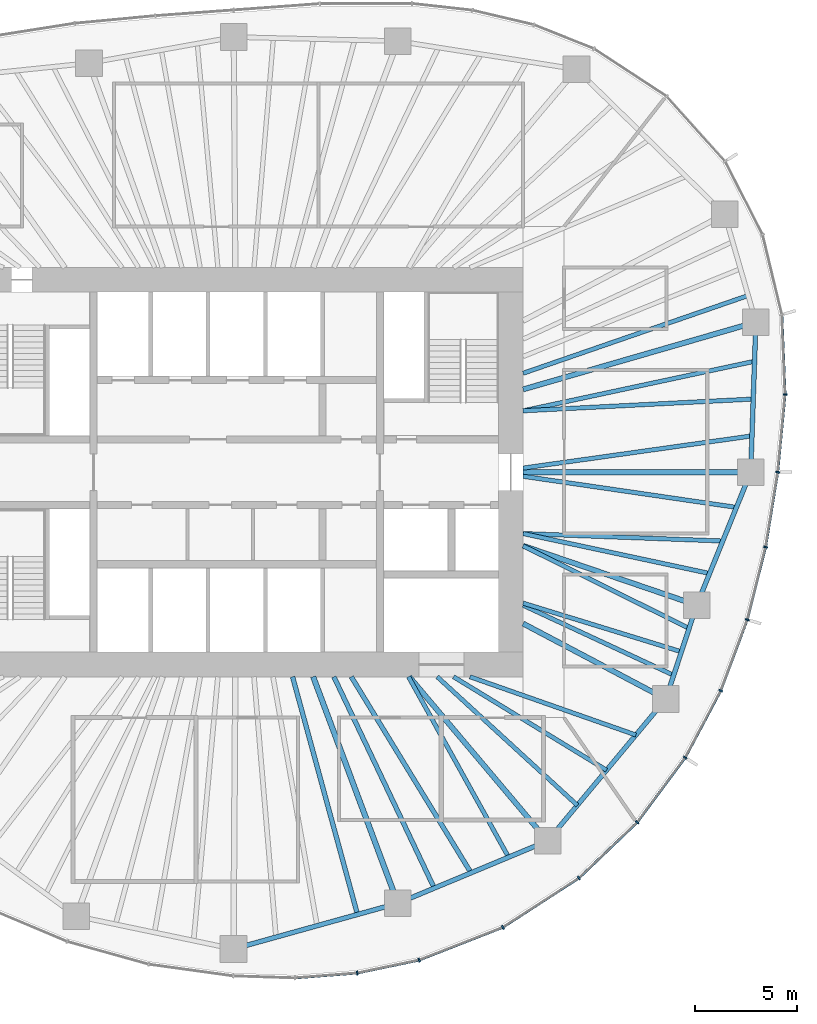
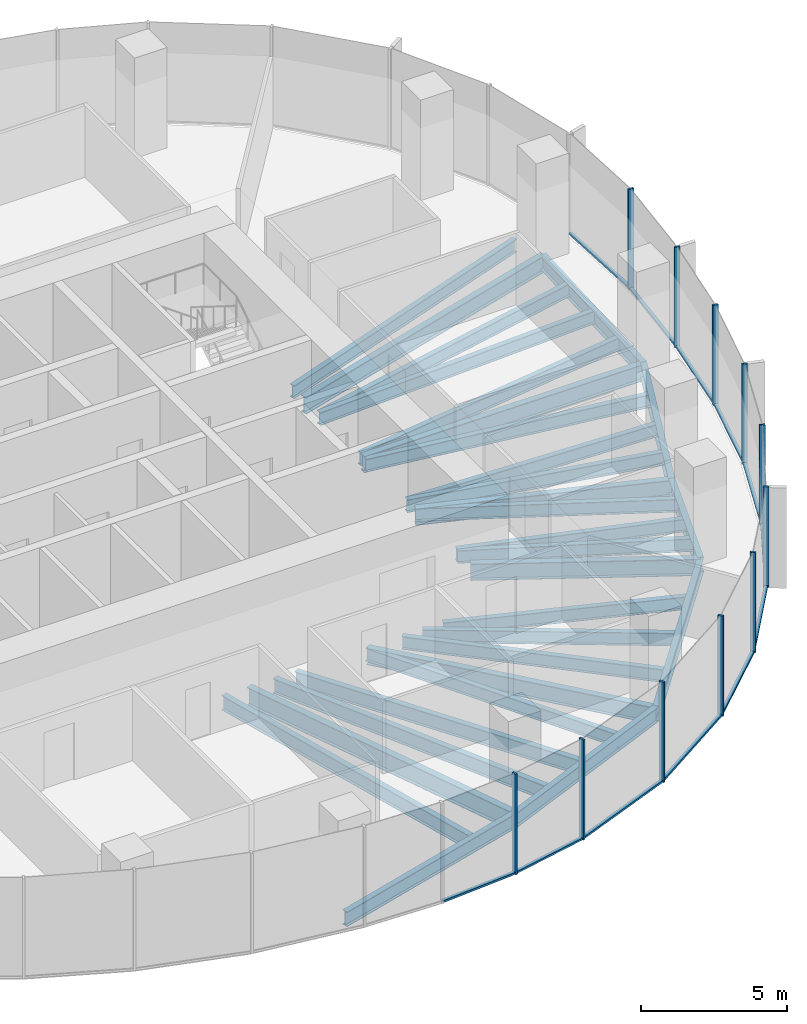
# One storey, part 4 of 12: 29 beams, 23 members, 6 elements without a shape of their own.
"""IFC4 building model written with IfcOpenShell, lengths in metres."""

from ifc_helpers import new_model, si_unit, direction, frame, origin, origin_2d, place, context, subcontext, project, spatial, rectangle, i_section, extrude, material, material_profile, profile_set, type_object, element, aggregate, save


model = new_model("IFC4")

# Units and contexts
model_context = context("Model", 3, precision=1e-05, world=origin(), true_north=direction((0.0, 1.0)))
body_context = subcontext(model_context, "Body", "Model", "MODEL_VIEW")
ifc_project = project(units=[si_unit("LENGTHUNIT", "METRE"), si_unit("AREAUNIT", "SQUARE_METRE"), si_unit("VOLUMEUNIT", "CUBIC_METRE"), si_unit("PLANEANGLEUNIT", "RADIAN"), si_unit("MASSUNIT", "GRAM", prefix="KILO")], contexts=[model_context])

# Site, building, storey
site_placement = place(None, origin())
site = spatial("IfcSite", under=ifc_project, at=site_placement, CompositionType="ELEMENT")
building_placement = place(site_placement, origin())
building = spatial("IfcBuilding", under=site, at=building_placement, Name="Ghaith Harvest Tower", CompositionType="ELEMENT")
storey_placement = place(building_placement, frame((0.0, 0.0, 224.199951171875)))
storey = spatial("IfcBuildingStorey", under=building, at=storey_placement, Name="L49", CompositionType="ELEMENT", Elevation=224.199951171875)

# Curtain wall, members
ifc_material_1 = material(Name="Black anodised aluminium and fritted glass", Category="aluminium")
curtain_wall_type = type_object("IfcCurtainWallType", Name="CW-H CURTAIN WALL", PredefinedType="NOTDEFINED", material=ifc_material_1)
curtain_wall_1_placement = place(storey_placement, origin())
curtain_wall_1 = element("IfcCurtainWall", 1, at=curtain_wall_1_placement, inside=storey, type_object=curtain_wall_type, Name="Curtain wall CW-H bay 01 L49", PredefinedType="NOTDEFINED")
ifc_material_2 = material(Name="Aluminium, black anodised", Category="aluminium")
ifc_material_profile_1 = material_profile(ifc_material_2, rectangle(XDim=0.080078125, YDim=0.199951171875, at=origin_2d()), Name="CW-H MULLION 80x200")
ifc_profile_set_1 = profile_set([ifc_material_profile_1], Name="Aluminium, black anodised")
member_type_1 = type_object("IfcMemberType", Name="CW-H MULLION 80x200", PredefinedType="MULLION", material=ifc_profile_set_1)
member_1_placement = place(storey_placement, frame((26.445068359375, 0.0, 0.0), z_axis=(0.0, 0.0, 1.0), x_axis=(0.126567624553, 0.991957981174, 0.0)))
member_1 = element("IfcMember", 2, at=member_1_placement, type_object=member_type_1, Name="CW-H mullion 1 bay 01 L49", PredefinedType="MULLION", context=body_context, shape_type="SweptSolid", body=[
    extrude(rectangle(XDim=0.080078125, YDim=0.199951171875, at=origin_2d()), origin(), (0.0, 0.0, 1.0), 4.199951171875),
])
member_2_placement = place(storey_placement, frame((26.804443359375, 3.7958984375, 0.0), z_axis=(0.0, 0.0, 1.0), x_axis=(0.026142797814, 0.999658218654, 0.0)))
member_2 = element("IfcMember", 3, at=member_2_placement, type_object=member_type_1, Name="CW-H mullion 2 bay 01 L49", PredefinedType="MULLION", context=body_context, shape_type="SweptSolid", body=[
    extrude(rectangle(XDim=0.080078125, YDim=0.199951171875, at=origin_2d()), origin(), (0.0, 0.0, 1.0), 4.199951171875),
])

# Curtain wall, member
curtain_wall_2_placement = place(storey_placement, origin())
curtain_wall_2 = element("IfcCurtainWall", 4, at=curtain_wall_2_placement, inside=storey, type_object=curtain_wall_type, Name="Curtain wall CW-H bay 16 L49", PredefinedType="NOTDEFINED")
member_3_placement = place(storey_placement, frame((5.893310546875, -24.48291015625, 0.0), z_axis=(0.0, 0.0, 1.0), x_axis=(0.989849191496, 0.142121701704, 0.0)))
member_3 = element("IfcMember", 5, at=member_3_placement, type_object=member_type_1, Name="CW-H mullion 3 bay 16 L49", PredefinedType="MULLION", context=body_context, shape_type="SweptSolid", body=[
    extrude(rectangle(XDim=0.080078125, YDim=0.199951171875, at=origin_2d()), origin(), (0.0, 0.0, 1.0), 4.199951171875),
])

# Curtain wall, members
curtain_wall_3_placement = place(storey_placement, origin())
curtain_wall_3 = element("IfcCurtainWall", 6, at=curtain_wall_3_placement, inside=storey, type_object=curtain_wall_type, Name="Curtain wall CW-H bay 17 L49", PredefinedType="NOTDEFINED")
member_4_placement = place(storey_placement, frame((8.916015625, -23.85009765625, 0.0), z_axis=(0.0, 0.0, 1.0), x_axis=(0.954029934434, 0.299711334793, 0.0)))
member_4 = element("IfcMember", 7, at=member_4_placement, type_object=member_type_1, Name="CW-H mullion 1 bay 17 L49", PredefinedType="MULLION", context=body_context, shape_type="SweptSolid", body=[
    extrude(rectangle(XDim=0.080078125, YDim=0.199951171875, at=origin_2d()), origin(), (0.0, 0.0, 1.0), 4.199951171875),
])
member_5_placement = place(storey_placement, frame((13.010009765625, -22.2470703125, 0.0), z_axis=(0.0, 0.0, 1.0), x_axis=(0.889568363425, 0.456802065225, 0.0)))
member_5 = element("IfcMember", 8, at=member_5_placement, type_object=member_type_1, Name="CW-H mullion 2 bay 17 L49", PredefinedType="MULLION", context=body_context, shape_type="SweptSolid", body=[
    extrude(rectangle(XDim=0.080078125, YDim=0.199951171875, at=origin_2d()), origin(), (0.0, 0.0, 1.0), 4.199951171875),
])

curtain_wall_4_placement = place(storey_placement, origin())
curtain_wall_4 = element("IfcCurtainWall", 9, at=curtain_wall_4_placement, inside=storey, type_object=curtain_wall_type, Name="Curtain wall CW-H bay 18 L49", PredefinedType="NOTDEFINED")
member_6_placement = place(storey_placement, frame((16.72900390625, -19.838134765625, 0.0), z_axis=(0.0, 0.0, 1.0), x_axis=(0.78784554071, 0.615872879727, 0.0)))
member_6 = element("IfcMember", 10, at=member_6_placement, type_object=member_type_1, Name="CW-H mullion 1 bay 18 L49", PredefinedType="MULLION", context=body_context, shape_type="SweptSolid", body=[
    extrude(rectangle(XDim=0.080078125, YDim=0.199951171875, at=origin_2d()), origin(), (0.0, 0.0, 1.0), 4.199951171875),
])
member_7_placement = place(storey_placement, frame((19.57421875, -17.11572265625, 0.0), z_axis=(0.0, 0.0, 1.0), x_axis=(0.661614965695, 0.749843741835, 0.0)))
member_7 = element("IfcMember", 11, at=member_7_placement, type_object=member_type_1, Name="CW-H mullion 2 bay 18 L49", PredefinedType="MULLION", context=body_context, shape_type="SweptSolid", body=[
    extrude(rectangle(XDim=0.080078125, YDim=0.199951171875, at=origin_2d()), origin(), (0.0, 0.0, 1.0), 4.199951171875),
])

curtain_wall_5_placement = place(storey_placement, origin())
curtain_wall_5 = element("IfcCurtainWall", 12, at=curtain_wall_5_placement, inside=storey, type_object=curtain_wall_type, Name="Curtain wall CW-H bay 19 L49", PredefinedType="NOTDEFINED")
member_8_placement = place(storey_placement, frame((21.922607421875, -13.951904296875, 0.0), z_axis=(0.0, 0.0, 1.0), x_axis=(0.535827198032, 0.844327669717, 0.0)))
member_8 = element("IfcMember", 13, at=member_8_placement, type_object=member_type_1, Name="CW-H mullion 1 bay 19 L49", PredefinedType="MULLION", context=body_context, shape_type="SweptSolid", body=[
    extrude(rectangle(XDim=0.080078125, YDim=0.199951171875, at=origin_2d()), origin(), (0.0, 0.0, 1.0), 4.199951171875),
])
member_9_placement = place(storey_placement, frame((23.658203125, -10.680419921875, 0.0), z_axis=(0.0, 0.0, 1.0), x_axis=(0.410429862351, 0.911892169114, 0.0)))
member_9 = element("IfcMember", 14, at=member_9_placement, type_object=member_type_1, Name="CW-H mullion 2 bay 19 L49", PredefinedType="MULLION", context=body_context, shape_type="SweptSolid", body=[
    extrude(rectangle(XDim=0.080078125, YDim=0.199951171875, at=origin_2d()), origin(), (0.0, 0.0, 1.0), 4.199951171875),
])

curtain_wall_6_placement = place(storey_placement, origin())
curtain_wall_6 = element("IfcCurtainWall", 15, at=curtain_wall_6_placement, inside=storey, type_object=curtain_wall_type, Name="Curtain wall CW-H bay 20 L49", PredefinedType="NOTDEFINED")
member_10_placement = place(storey_placement, frame((24.955810546875, -7.212890625, 0.0), z_axis=(0.0, 0.0, 1.0), x_axis=(0.298441625478, 0.954427889462, 0.0)))
member_10 = element("IfcMember", 16, at=member_10_placement, type_object=member_type_1, Name="CW-H mullion 1 bay 20 L49", PredefinedType="MULLION", context=body_context, shape_type="SweptSolid", body=[
    extrude(rectangle(XDim=0.080078125, YDim=0.199951171875, at=origin_2d()), origin(), (0.0, 0.0, 1.0), 4.199951171875),
])
member_11_placement = place(storey_placement, frame((25.85302734375, -3.6611328125, 0.0), z_axis=(0.0, 0.0, 1.0), x_axis=(0.202192370647, 0.979345825157, 0.0)))
member_11 = element("IfcMember", 17, at=member_11_placement, type_object=member_type_1, Name="CW-H mullion 2 bay 20 L49", PredefinedType="MULLION", context=body_context, shape_type="SweptSolid", body=[
    extrude(rectangle(XDim=0.080078125, YDim=0.199951171875, at=origin_2d()), origin(), (0.0, 0.0, 1.0), 4.199951171875),
])

# Member
ifc_material_3 = material(Name="Aluminium, black anodised", Category="aluminium")
ifc_material_profile_2 = material_profile(ifc_material_3, rectangle(XDim=0.1298828125, YDim=0.080078125, at=origin_2d()), Name="CW-H TRANSOM 130x80")
ifc_profile_set_2 = profile_set([ifc_material_profile_2], Name="Aluminium, black anodised")
member_type_2 = type_object("IfcMemberType", Name="CW-H TRANSOM 130x80", PredefinedType="USERDEFINED", material=ifc_profile_set_2)
member_12_placement = place(storey_placement, frame((26.44873046875, 0.039794921875, 0.0400390625), z_axis=(0.094309089207, 0.995542965267, 0.0), x_axis=(-0.995542965267, 0.094309089207, 0.0)))
member_12 = element("IfcMember", 18, at=member_12_placement, type_object=member_type_2, Name="CW-H transom 1 bay 01 L49", ObjectType="TRANSOM", PredefinedType="USERDEFINED", context=body_context, shape_type="SweptSolid", body=[
    extrude(rectangle(XDim=0.1298828125, YDim=0.080078125, at=origin_2d()), origin(), (0.0, 0.0, 1.0), 3.73291015625),
])

member_13_placement = place(storey_placement, frame((26.802978515625, 3.8359375, 0.0400390625), z_axis=(-0.040492641284, 0.999179836667, 0.0), x_axis=(-0.999179836667, -0.040492641284, 0.0)))
member_13 = element("IfcMember", 19, at=member_13_placement, type_object=member_type_2, Name="CW-H transom 2 bay 01 L49", ObjectType="TRANSOM", PredefinedType="USERDEFINED", context=body_context, shape_type="SweptSolid", body=[
    extrude(rectangle(XDim=0.1298828125, YDim=0.080078125, at=origin_2d()), origin(), (0.0, 0.0, 1.0), 3.82861328125),
])

aggregate(curtain_wall_1, [member_1, member_12, member_2, member_13])

member_14_placement = place(storey_placement, frame((2.8876953125, -24.71826171875, 0.0400390625), z_axis=(0.996949781933, 0.078045706505, 0.0), x_axis=(-0.078045706505, 0.996949781933, 0.0)))
member_14 = element("IfcMember", 20, at=member_14_placement, type_object=member_type_2, Name="CW-H transom 2 bay 16 L49", ObjectType="TRANSOM", PredefinedType="USERDEFINED", context=body_context, shape_type="SweptSolid", body=[
    extrude(rectangle(XDim=0.1298828125, YDim=0.080078125, at=origin_2d()), origin(), (0.0, 0.0, 1.0), 2.974853515625),
])

member_15_placement = place(storey_placement, frame((5.932373046875, -24.474609375, 0.0400390625), z_axis=(0.978797058213, 0.204832416461, 0.0), x_axis=(-0.204832416461, 0.978797058213, 0.0)))
member_15 = element("IfcMember", 21, at=member_15_placement, type_object=member_type_2, Name="CW-H transom 3 bay 16 L49", ObjectType="TRANSOM", PredefinedType="USERDEFINED", context=body_context, shape_type="SweptSolid", body=[
    extrude(rectangle(XDim=0.1298828125, YDim=0.080078125, at=origin_2d()), origin(), (0.0, 0.0, 1.0), 3.00830078125),
])

aggregate(curtain_wall_2, [member_14, member_3, member_15])

member_16_placement = place(storey_placement, frame((8.953369140625, -23.835693359375, 0.0400390625), z_axis=(0.931147615871, 0.364642451529, 0.0), x_axis=(-0.364642451529, 0.931147615871, 0.0)))
member_16 = element("IfcMember", 22, at=member_16_placement, type_object=member_type_2, Name="CW-H transom 1 bay 17 L49", ObjectType="TRANSOM", PredefinedType="USERDEFINED", context=body_context, shape_type="SweptSolid", body=[
    extrude(rectangle(XDim=0.1298828125, YDim=0.080078125, at=origin_2d()), origin(), (0.0, 0.0, 1.0), 4.31640625),
])

member_17_placement = place(storey_placement, frame((13.04345703125, -22.225341796875, 0.0400390625), z_axis=(0.839306610985, 0.543658360331, 0.0), x_axis=(-0.543658360331, 0.839306610985, 0.0)))
member_17 = element("IfcMember", 23, at=member_17_placement, type_object=member_type_2, Name="CW-H transom 2 bay 17 L49", ObjectType="TRANSOM", PredefinedType="USERDEFINED", context=body_context, shape_type="SweptSolid", body=[
    extrude(rectangle(XDim=0.1298828125, YDim=0.080078125, at=origin_2d()), origin(), (0.0, 0.0, 1.0), 4.35107421875),
])

aggregate(curtain_wall_3, [member_4, member_16, member_5, member_17])

member_18_placement = place(storey_placement, frame((16.7578125, -19.810546875, 0.0400390625), z_axis=(0.722533278657, 0.691336141998, 0.0), x_axis=(-0.691336141998, 0.722533278657, 0.0)))
member_18 = element("IfcMember", 24, at=member_18_placement, type_object=member_type_2, Name="CW-H transom 1 bay 18 L49", ObjectType="TRANSOM", PredefinedType="USERDEFINED", context=body_context, shape_type="SweptSolid", body=[
    extrude(rectangle(XDim=0.1298828125, YDim=0.080078125, at=origin_2d()), origin(), (0.0, 0.0, 1.0), 3.858154296875),
])

member_19_placement = place(storey_placement, frame((19.59814453125, -17.083740234375, 0.0400390625), z_axis=(0.595995597074, 0.802987701194, 0.0), x_axis=(-0.802987701194, 0.595995597074, 0.0)))
member_19 = element("IfcMember", 25, at=member_19_placement, type_object=member_type_2, Name="CW-H transom 2 bay 18 L49", ObjectType="TRANSOM", PredefinedType="USERDEFINED", context=body_context, shape_type="SweptSolid", body=[
    extrude(rectangle(XDim=0.1298828125, YDim=0.080078125, at=origin_2d()), origin(), (0.0, 0.0, 1.0), 3.8603515625),
])

aggregate(curtain_wall_4, [member_6, member_18, member_7, member_19])

member_20_placement = place(storey_placement, frame((21.94140625, -13.91650390625, 0.0400390625), z_axis=(0.468646057757, 0.883386026915, 0.0), x_axis=(-0.883386026915, 0.468646057757, 0.0)))
member_20 = element("IfcMember", 26, at=member_20_placement, type_object=member_type_2, Name="CW-H transom 1 bay 19 L49", ObjectType="TRANSOM", PredefinedType="USERDEFINED", context=body_context, shape_type="SweptSolid", body=[
    extrude(rectangle(XDim=0.1298828125, YDim=0.080078125, at=origin_2d()), origin(), (0.0, 0.0, 1.0), 3.623291015625),
])

member_21_placement = place(storey_placement, frame((23.672119140625, -10.64306640625, 0.0400390625), z_axis=(0.350510368091, 0.936558851253, 0.0), x_axis=(-0.936558851253, 0.350510368091, 0.0)))
member_21 = element("IfcMember", 27, at=member_21_placement, type_object=member_type_2, Name="CW-H transom 2 bay 19 L49", ObjectType="TRANSOM", PredefinedType="USERDEFINED", context=body_context, shape_type="SweptSolid", body=[
    extrude(rectangle(XDim=0.1298828125, YDim=0.080078125, at=origin_2d()), origin(), (0.0, 0.0, 1.0), 3.62255859375),
])

aggregate(curtain_wall_5, [member_8, member_20, member_9, member_21])

member_22_placement = place(storey_placement, frame((24.965576171875, -7.174072265625, 0.0400390625), z_axis=(0.244939588347, 0.969538342749, 0.0), x_axis=(-0.969538342749, 0.244939588347, 0.0)))
member_22 = element("IfcMember", 28, at=member_22_placement, type_object=member_type_2, Name="CW-H transom 1 bay 20 L49", ObjectType="TRANSOM", PredefinedType="USERDEFINED", context=body_context, shape_type="SweptSolid", body=[
    extrude(rectangle(XDim=0.1298828125, YDim=0.080078125, at=origin_2d()), origin(), (0.0, 0.0, 1.0), 3.583251953125),
])

member_23_placement = place(storey_placement, frame((25.859375, -3.62158203125, 0.0400390625), z_axis=(0.159661845696, 0.987171765717, 0.0), x_axis=(-0.987171765717, 0.159661845696, 0.0)))
member_23 = element("IfcMember", 29, at=member_23_placement, type_object=member_type_2, Name="CW-H transom 2 bay 20 L49", ObjectType="TRANSOM", PredefinedType="USERDEFINED", context=body_context, shape_type="SweptSolid", body=[
    extrude(rectangle(XDim=0.1298828125, YDim=0.080078125, at=origin_2d()), origin(), (0.0, 0.0, 1.0), 3.628662109375),
])

aggregate(curtain_wall_6, [member_10, member_22, member_11, member_23])

# Beams
ifc_material_4 = material(Name="Steel ASTM A992 Grade 50", Category="steel")
ifc_material_profile_3 = material_profile(ifc_material_4, i_section(OverallWidth=0.22900390625, OverallDepth=0.612060546875, WebThickness=0.011962890625, FlangeThickness=0.01953125, at=origin_2d()), Name="W610X125")
ifc_profile_set_3 = profile_set([ifc_material_profile_3], Name="Steel ASTM A992 Grade 50")
beam_type_1 = type_object("IfcBeamType", Name="E610-125 W610X125", PredefinedType="SPANDREL", material=ifc_profile_set_3)
beam_1_placement = place(storey_placement, frame((25.125, 0.0, -0.475830078125), z_axis=(0.03446227584, 0.999405999354, 0.0), x_axis=(-0.999405999354, 0.03446227584, 0.0)))
element("IfcBeam", 30, at=beam_1_placement, inside=storey, type_object=beam_type_1, Name="Edge beam E01 L49", PredefinedType="SPANDREL", context=body_context, shape_type="SweptSolid", body=[
    extrude(i_section(OverallWidth=0.22900390625, OverallDepth=0.612060546875, WebThickness=0.011962890625, FlangeThickness=0.01953125, at=origin_2d()), origin(), (0.0, 0.0, 1.0), 7.33935546875),
])
beam_2_placement = place(storey_placement, frame((-0.158935546875, -23.304931640625, -0.475830078125), z_axis=(0.963504070594, 0.267693679323, 0.0), x_axis=(-0.267693679323, 0.963504070594, 0.0)))
element("IfcBeam", 31, at=beam_2_placement, inside=storey, type_object=beam_type_1, Name="Edge beam E16 L49", PredefinedType="SPANDREL", context=body_context, shape_type="SweptSolid", body=[
    extrude(i_section(OverallWidth=0.22900390625, OverallDepth=0.612060546875, WebThickness=0.011962890625, FlangeThickness=0.01953125, at=origin_2d()), origin(), (0.0, 0.0, 1.0), 8.34130859375),
])
beam_3_placement = place(storey_placement, frame((7.8779296875, -21.072021484375, -0.475830078125), z_axis=(0.923119729219, 0.384512633766, 0.0), x_axis=(-0.384512633766, 0.923119729219, 0.0)))
element("IfcBeam", 32, at=beam_3_placement, inside=storey, type_object=beam_type_1, Name="Edge beam E17 L49", PredefinedType="SPANDREL", context=body_context, shape_type="SweptSolid", body=[
    extrude(i_section(OverallWidth=0.22900390625, OverallDepth=0.612060546875, WebThickness=0.011962890625, FlangeThickness=0.01953125, at=origin_2d()), origin(), (0.0, 0.0, 1.0), 7.9296875),
])
beam_4_placement = place(storey_placement, frame((15.197998046875, -18.02294921875, -0.475830078125), z_axis=(0.640173759088, 0.76823014662, 0.0), x_axis=(-0.76823014662, 0.640173759088, 0.0)))
element("IfcBeam", 33, at=beam_4_placement, inside=storey, type_object=beam_type_1, Name="Edge beam E18 L49", PredefinedType="SPANDREL", context=body_context, shape_type="SweptSolid", body=[
    extrude(i_section(OverallWidth=0.22900390625, OverallDepth=0.612060546875, WebThickness=0.011962890625, FlangeThickness=0.01953125, at=origin_2d()), origin(), (0.0, 0.0, 1.0), 9.02734375),
])
beam_5_placement = place(storey_placement, frame((20.97705078125, -11.087890625, -0.475830078125), z_axis=(0.312206727278, 0.950014189074, 0.0), x_axis=(-0.950014189074, 0.312206727278, 0.0)))
element("IfcBeam", 34, at=beam_5_placement, inside=storey, type_object=beam_type_1, Name="Edge beam E19 L49", PredefinedType="SPANDREL", context=body_context, shape_type="SweptSolid", body=[
    extrude(i_section(OverallWidth=0.22900390625, OverallDepth=0.612060546875, WebThickness=0.011962890625, FlangeThickness=0.01953125, at=origin_2d()), origin(), (0.0, 0.0, 1.0), 4.830322265625),
])
beam_6_placement = place(storey_placement, frame((22.485107421875, -6.4990234375, -0.475830078125), z_axis=(0.376335970246, 0.926483263475, 0.0), x_axis=(-0.926483263475, 0.376335970246, 0.0)))
element("IfcBeam", 35, at=beam_6_placement, inside=storey, type_object=beam_type_1, Name="Edge beam E20 L49", PredefinedType="SPANDREL", context=body_context, shape_type="SweptSolid", body=[
    extrude(i_section(OverallWidth=0.22900390625, OverallDepth=0.612060546875, WebThickness=0.011962890625, FlangeThickness=0.01953125, at=origin_2d()), origin(), (0.0, 0.0, 1.0), 7.0146484375),
])
ifc_material_5 = material(Name="Steel ASTM A992 Grade 50", Category="steel")
ifc_material_profile_4 = material_profile(ifc_material_5, i_section(OverallWidth=0.256103515625, OverallDepth=0.693115234375, WebThickness=0.014404296875, FlangeThickness=0.023681640625, at=origin_2d()), Name="W690X170")
ifc_profile_set_4 = profile_set([ifc_material_profile_4], Name="Steel ASTM A992 Grade 50")
beam_type_2 = type_object("IfcBeamType", Name="G690-170 W690X170", PredefinedType="BEAM", material=ifc_profile_set_4)
beam_7_placement = place(storey_placement, frame((14.0, 0.0, -0.516357421875), z_axis=(1.0, 0.0, 0.0), x_axis=(0.0, 1.0, 0.0)))
element("IfcBeam", 36, at=beam_7_placement, inside=storey, type_object=beam_type_2, Name="Radial girder G01 L49", PredefinedType="BEAM", context=body_context, shape_type="SweptSolid", body=[
    extrude(i_section(OverallWidth=0.256103515625, OverallDepth=0.693115234375, WebThickness=0.014404296875, FlangeThickness=0.023681640625, at=origin_2d()), origin(), (0.0, 0.0, 1.0), 11.125),
])
beam_8_placement = place(storey_placement, frame((14.0, 4.04638671875, -0.516357421875), z_axis=(0.960677776578, 0.277665643518, 0.0), x_axis=(-0.277665643518, 0.960677776578, 0.0)))
element("IfcBeam", 37, at=beam_8_placement, inside=storey, type_object=beam_type_2, Name="Radial girder G02 L49", PredefinedType="BEAM", context=body_context, shape_type="SweptSolid", body=[
    extrude(i_section(OverallWidth=0.256103515625, OverallDepth=0.693115234375, WebThickness=0.014404296875, FlangeThickness=0.023681640625, at=origin_2d()), origin(), (0.0, 0.0, 1.0), 11.84375),
])
beam_9_placement = place(storey_placement, frame((8.4326171875, -10.0, -0.516357421875), z_axis=(0.644649240595, -0.764478486682, 0.0), x_axis=(0.764478486682, 0.644649240595, 0.0)))
element("IfcBeam", 38, at=beam_9_placement, inside=storey, type_object=beam_type_2, Name="Radial girder G18 L49", PredefinedType="BEAM", context=body_context, shape_type="SweptSolid", body=[
    extrude(i_section(OverallWidth=0.256103515625, OverallDepth=0.693115234375, WebThickness=0.014404296875, FlangeThickness=0.023681640625, at=origin_2d()), origin(), (0.0, 0.0, 1.0), 10.49462890625),
])
beam_10_placement = place(storey_placement, frame((14.0, -7.39990234375, -0.516357421875), z_axis=(0.884088732293, -0.467319070264, 0.0), x_axis=(0.467319070264, 0.884088732293, 0.0)))
element("IfcBeam", 39, at=beam_10_placement, inside=storey, type_object=beam_type_2, Name="Radial girder G19 L49", PredefinedType="BEAM", context=body_context, shape_type="SweptSolid", body=[
    extrude(i_section(OverallWidth=0.256103515625, OverallDepth=0.693115234375, WebThickness=0.014404296875, FlangeThickness=0.023681640625, at=origin_2d()), origin(), (0.0, 0.0, 1.0), 7.891845703125),
])
beam_11_placement = place(storey_placement, frame((14.0, -3.60009765625, -0.516357421875), z_axis=(0.94629622913, -0.323300861018, 0.0), x_axis=(0.323300861018, 0.94629622913, 0.0)))
element("IfcBeam", 40, at=beam_11_placement, inside=storey, type_object=beam_type_2, Name="Radial girder G20 L49", PredefinedType="BEAM", context=body_context, shape_type="SweptSolid", body=[
    extrude(i_section(OverallWidth=0.256103515625, OverallDepth=0.693115234375, WebThickness=0.014404296875, FlangeThickness=0.023681640625, at=origin_2d()), origin(), (0.0, 0.0, 1.0), 8.966552734375),
])
ifc_material_6 = material(Name="Steel ASTM A992 Grade 50", Category="steel")
ifc_material_profile_5 = material_profile(ifc_material_6, i_section(OverallWidth=0.26806640625, OverallDepth=0.77001953125, WebThickness=0.015625, FlangeThickness=0.025390625, at=origin_2d()), Name="W760X196")
ifc_profile_set_5 = profile_set([ifc_material_profile_5], Name="Steel ASTM A992 Grade 50")
beam_type_3 = type_object("IfcBeamType", Name="G760-196 W760X196", PredefinedType="BEAM", material=ifc_profile_set_5)
beam_12_placement = place(storey_placement, frame((3.73828125, -10.0, -0.554931640625), z_axis=(0.350206582147, -0.936672488024, 0.0), x_axis=(0.936672488024, 0.350206582147, 0.0)))
element("IfcBeam", 41, at=beam_12_placement, inside=storey, type_object=beam_type_3, Name="Radial girder G17 L49", PredefinedType="BEAM", context=body_context, shape_type="SweptSolid", body=[
    extrude(i_section(OverallWidth=0.26806640625, OverallDepth=0.77001953125, WebThickness=0.015625, FlangeThickness=0.025390625, at=origin_2d()), origin(), (0.0, 0.0, 1.0), 11.820556640625),
])
ifc_material_7 = material(Name="Steel ASTM A992 Grade 50", Category="steel")
ifc_material_profile_6 = material_profile(ifc_material_7, i_section(OverallWidth=0.2109375, OverallDepth=0.5390625, WebThickness=0.01171875, FlangeThickness=0.018798828125, at=origin_2d()), Name="W530X109")
ifc_profile_set_6 = profile_set([ifc_material_profile_6], Name="Steel ASTM A992 Grade 50")
beam_type_4 = type_object("IfcBeamType", Name="J530-109 W530X109", PredefinedType="JOIST", material=ifc_profile_set_6)
beam_13_placement = place(storey_placement, frame((14.0, 0.199951171875, -0.439453125), z_axis=(0.990239574724, 0.139375696052, 0.0), x_axis=(-0.139375696052, 0.990239574724, 0.0)))
element("IfcBeam", 42, at=beam_13_placement, inside=storey, type_object=beam_type_4, Name="Joist J01.1 L49", PredefinedType="JOIST", context=body_context, shape_type="SweptSolid", body=[
    extrude(i_section(OverallWidth=0.2109375, OverallDepth=0.5390625, WebThickness=0.01171875, FlangeThickness=0.018798828125, at=origin_2d()), origin(), (0.0, 0.0, 1.0), 11.296630859375),
])
beam_14_placement = place(storey_placement, frame((14.0, 3.0, -0.439453125), z_axis=(0.998693995267, 0.051091132482, 0.0), x_axis=(-0.051091132482, 0.998693995267, 0.0)))
element("IfcBeam", 43, at=beam_14_placement, inside=storey, type_object=beam_type_4, Name="Joist J01.2 L49", PredefinedType="JOIST", context=body_context, shape_type="SweptSolid", body=[
    extrude(i_section(OverallWidth=0.2109375, OverallDepth=0.5390625, WebThickness=0.01171875, FlangeThickness=0.018798828125, at=origin_2d()), origin(), (0.0, 0.0, 1.0), 11.262939453125),
])
beam_15_placement = place(storey_placement, frame((14.0, 3.0, -0.439453125), z_axis=(0.977840076912, 0.209353251672, 0.0), x_axis=(-0.209353251672, 0.977840076912, 0.0)))
element("IfcBeam", 44, at=beam_15_placement, inside=storey, type_object=beam_type_4, Name="Joist J01.3 L49", PredefinedType="JOIST", context=body_context, shape_type="SweptSolid", body=[
    extrude(i_section(OverallWidth=0.2109375, OverallDepth=0.5390625, WebThickness=0.01171875, FlangeThickness=0.018798828125, at=origin_2d()), origin(), (0.0, 0.0, 1.0), 11.568359375),
])
beam_16_placement = place(storey_placement, frame((14.0, 4.835693359375, -0.439453125), z_axis=(0.945202328042, 0.326485159025, 0.0), x_axis=(-0.326485159025, 0.945202328042, 0.0)))
element("IfcBeam", 45, at=beam_16_placement, inside=storey, type_object=beam_type_4, Name="Joist J02.1 L49", PredefinedType="JOIST", context=body_context, shape_type="SweptSolid", body=[
    extrude(i_section(OverallWidth=0.2109375, OverallDepth=0.5390625, WebThickness=0.01171875, FlangeThickness=0.018798828125, at=origin_2d()), origin(), (0.0, 0.0, 1.0), 11.63916015625),
])
beam_17_placement = place(storey_placement, frame((8.39990234375, -10.0, -0.439453125), z_axis=(0.484919107871, -0.874559008199, 0.0), x_axis=(0.874559008199, 0.484919107871, 0.0)))
element("IfcBeam", 46, at=beam_17_placement, inside=storey, type_object=beam_type_4, Name="Joist J17.3 L49", PredefinedType="JOIST", context=body_context, shape_type="SweptSolid", body=[
    extrude(i_section(OverallWidth=0.2109375, OverallDepth=0.5390625, WebThickness=0.01171875, FlangeThickness=0.018798828125, at=origin_2d()), origin(), (0.0, 0.0, 1.0), 10.0830078125),
])
beam_18_placement = place(storey_placement, frame((9.800048828125, -10.0, -0.439453125), z_axis=(0.736998187228, -0.675894719629, 0.0), x_axis=(0.675894719629, 0.736998187228, 0.0)))
element("IfcBeam", 47, at=beam_18_placement, inside=storey, type_object=beam_type_4, Name="Joist J18.1 L49", PredefinedType="JOIST", context=body_context, shape_type="SweptSolid", body=[
    extrude(i_section(OverallWidth=0.2109375, OverallDepth=0.5390625, WebThickness=0.01171875, FlangeThickness=0.018798828125, at=origin_2d()), origin(), (0.0, 0.0, 1.0), 9.293701171875),
])
beam_19_placement = place(storey_placement, frame((14.0, -3.0, -0.439453125), z_axis=(0.977841497168, -0.209346617877, 0.0), x_axis=(0.209346617877, 0.977841497168, 0.0)))
element("IfcBeam", 48, at=beam_19_placement, inside=storey, type_object=beam_type_4, Name="Joist J20.1 L49", PredefinedType="JOIST", context=body_context, shape_type="SweptSolid", body=[
    extrude(i_section(OverallWidth=0.2109375, OverallDepth=0.5390625, WebThickness=0.01171875, FlangeThickness=0.018798828125, at=origin_2d()), origin(), (0.0, 0.0, 1.0), 9.3203125),
])
beam_20_placement = place(storey_placement, frame((14.0, -3.0, -0.439453125), z_axis=(0.999303105315, -0.037326983644, 0.0), x_axis=(0.037326983644, 0.999303105315, 0.0)))
element("IfcBeam", 49, at=beam_20_placement, inside=storey, type_object=beam_type_4, Name="Joist J20.2 L49", PredefinedType="JOIST", context=body_context, shape_type="SweptSolid", body=[
    extrude(i_section(OverallWidth=0.2109375, OverallDepth=0.5390625, WebThickness=0.01171875, FlangeThickness=0.018798828125, at=origin_2d()), origin(), (0.0, 0.0, 1.0), 9.76513671875),
])
beam_21_placement = place(storey_placement, frame((14.0, -0.199951171875, -0.439453125), z_axis=(0.989525259022, -0.144359834294, 0.0), x_axis=(0.144359834294, 0.989525259022, 0.0)))
element("IfcBeam", 50, at=beam_21_placement, inside=storey, type_object=beam_type_4, Name="Joist J20.3 L49", PredefinedType="JOIST", context=body_context, shape_type="SweptSolid", body=[
    extrude(i_section(OverallWidth=0.2109375, OverallDepth=0.5390625, WebThickness=0.01171875, FlangeThickness=0.018798828125, at=origin_2d()), origin(), (0.0, 0.0, 1.0), 10.5361328125),
])
ifc_material_8 = material(Name="Steel ASTM A992 Grade 50", Category="steel")
ifc_material_profile_7 = material_profile(ifc_material_8, i_section(OverallWidth=0.208984375, OverallDepth=0.532958984375, WebThickness=0.01025390625, FlangeThickness=0.015625, at=origin_2d()), Name="W530X92")
ifc_profile_set_7 = profile_set([ifc_material_profile_7], Name="Steel ASTM A992 Grade 50")
beam_type_5 = type_object("IfcBeamType", Name="J530-92 W530X92", PredefinedType="JOIST", material=ifc_profile_set_7)
beam_22_placement = place(storey_placement, frame((10.60009765625, -10.0, -0.4365234375), z_axis=(0.853467052113, -0.521146803654, 0.0), x_axis=(0.521146803654, 0.853467052113, 0.0)))
element("IfcBeam", 51, at=beam_22_placement, inside=storey, type_object=beam_type_5, Name="Joist J18.2 L49", PredefinedType="JOIST", context=body_context, shape_type="SweptSolid", body=[
    extrude(i_section(OverallWidth=0.208984375, OverallDepth=0.532958984375, WebThickness=0.01025390625, FlangeThickness=0.015625, at=origin_2d()), origin(), (0.0, 0.0, 1.0), 8.76220703125),
])
beam_23_placement = place(storey_placement, frame((11.39990234375, -10.0, -0.4365234375), z_axis=(0.943605274188, -0.331072630285, 0.0), x_axis=(0.331072630285, 0.943605274188, 0.0)))
element("IfcBeam", 52, at=beam_23_placement, inside=storey, type_object=beam_type_5, Name="Joist J18.3 L49", PredefinedType="JOIST", context=body_context, shape_type="SweptSolid", body=[
    extrude(i_section(OverallWidth=0.208984375, OverallDepth=0.532958984375, WebThickness=0.01025390625, FlangeThickness=0.015625, at=origin_2d()), origin(), (0.0, 0.0, 1.0), 8.596923828125),
])
beam_24_placement = place(storey_placement, frame((14.0, -6.506103515625, -0.4365234375), z_axis=(0.906865270415, -0.421420670251, 0.0), x_axis=(0.421420670251, 0.906865270415, 0.0)))
element("IfcBeam", 53, at=beam_24_placement, inside=storey, type_object=beam_type_5, Name="Joist J19.1 L49", PredefinedType="JOIST", context=body_context, shape_type="SweptSolid", body=[
    extrude(i_section(OverallWidth=0.208984375, OverallDepth=0.532958984375, WebThickness=0.01025390625, FlangeThickness=0.015625, at=origin_2d()), origin(), (0.0, 0.0, 1.0), 8.11474609375),
])
beam_25_placement = place(storey_placement, frame((14.0, -6.39990234375, -0.4365234375), z_axis=(0.955870927609, -0.293786946192, 0.0), x_axis=(0.293786946192, 0.955870927609, 0.0)))
element("IfcBeam", 54, at=beam_25_placement, inside=storey, type_object=beam_type_5, Name="Joist J19.2 L49", PredefinedType="JOIST", context=body_context, shape_type="SweptSolid", body=[
    extrude(i_section(OverallWidth=0.208984375, OverallDepth=0.532958984375, WebThickness=0.01025390625, FlangeThickness=0.015625, at=origin_2d()), origin(), (0.0, 0.0, 1.0), 8.09326171875),
])
beam_26_placement = place(storey_placement, frame((14.0, -3.60009765625, -0.4365234375), z_axis=(0.89523949078, -0.445585293909, 0.0), x_axis=(0.445585293909, 0.89523949078, 0.0)))
element("IfcBeam", 55, at=beam_26_placement, inside=storey, type_object=beam_type_5, Name="Joist J19.3 L49", PredefinedType="JOIST", context=body_context, shape_type="SweptSolid", body=[
    extrude(i_section(OverallWidth=0.208984375, OverallDepth=0.532958984375, WebThickness=0.01025390625, FlangeThickness=0.015625, at=origin_2d()), origin(), (0.0, 0.0, 1.0), 9.060302734375),
])
ifc_material_9 = material(Name="Steel ASTM A992 Grade 50", Category="steel")
ifc_material_profile_8 = material_profile(ifc_material_9, i_section(OverallWidth=0.22900390625, OverallDepth=0.612060546875, WebThickness=0.011962890625, FlangeThickness=0.01953125, at=origin_2d()), Name="W610X125")
ifc_profile_set_8 = profile_set([ifc_material_profile_8], Name="Steel ASTM A992 Grade 50")
beam_type_6 = type_object("IfcBeamType", Name="J610-125 W610X125", PredefinedType="JOIST", material=ifc_profile_set_8)
beam_27_placement = place(storey_placement, frame((2.73095703125, -10.0, -0.475830078125), z_axis=(0.263456947705, -0.964671154698, 0.0), x_axis=(0.964671154698, 0.263456947705, 0.0)))
element("IfcBeam", 56, at=beam_27_placement, inside=storey, type_object=beam_type_6, Name="Joist J16.3 L49", PredefinedType="JOIST", context=body_context, shape_type="SweptSolid", body=[
    extrude(i_section(OverallWidth=0.22900390625, OverallDepth=0.612060546875, WebThickness=0.011962890625, FlangeThickness=0.01953125, at=origin_2d()), origin(), (0.0, 0.0, 1.0), 12.0458984375),
])
beam_28_placement = place(storey_placement, frame((4.75, -10.0, -0.475830078125), z_axis=(0.429080762264, -0.90326612881, 0.0), x_axis=(0.90326612881, 0.429080762264, 0.0)))
element("IfcBeam", 57, at=beam_28_placement, inside=storey, type_object=beam_type_6, Name="Joist J17.1 L49", PredefinedType="JOIST", context=body_context, shape_type="SweptSolid", body=[
    extrude(i_section(OverallWidth=0.22900390625, OverallDepth=0.612060546875, WebThickness=0.011962890625, FlangeThickness=0.01953125, at=origin_2d()), origin(), (0.0, 0.0, 1.0), 11.437255859375),
])
beam_29_placement = place(storey_placement, frame((5.60009765625, -10.0, -0.475830078125), z_axis=(0.521165912119, -0.853455383746, 0.0), x_axis=(0.853455383746, 0.521165912119, 0.0)))
element("IfcBeam", 58, at=beam_29_placement, inside=storey, type_object=beam_type_6, Name="Joist J17.2 L49", PredefinedType="JOIST", context=body_context, shape_type="SweptSolid", body=[
    extrude(i_section(OverallWidth=0.22900390625, OverallDepth=0.612060546875, WebThickness=0.011962890625, FlangeThickness=0.01953125, at=origin_2d()), origin(), (0.0, 0.0, 1.0), 11.228759765625),
])

save(model, "model.ifc")
